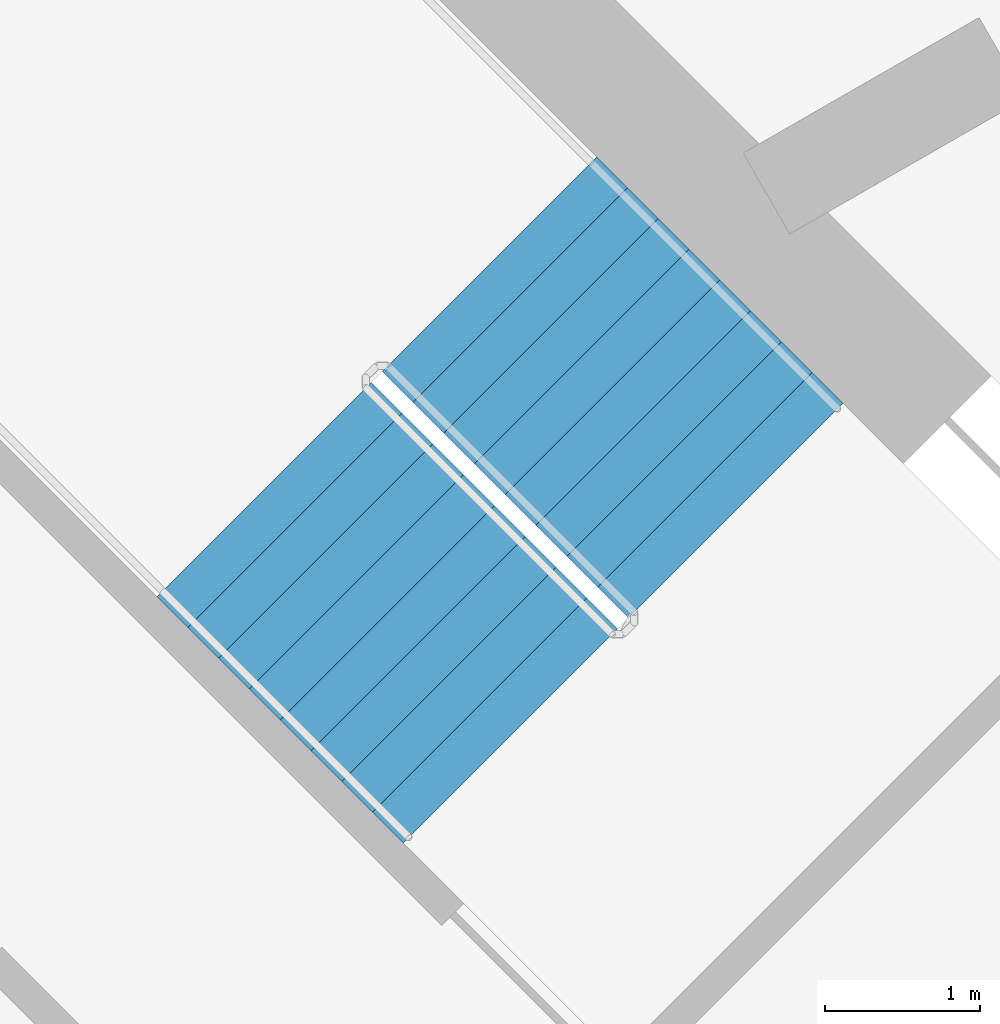
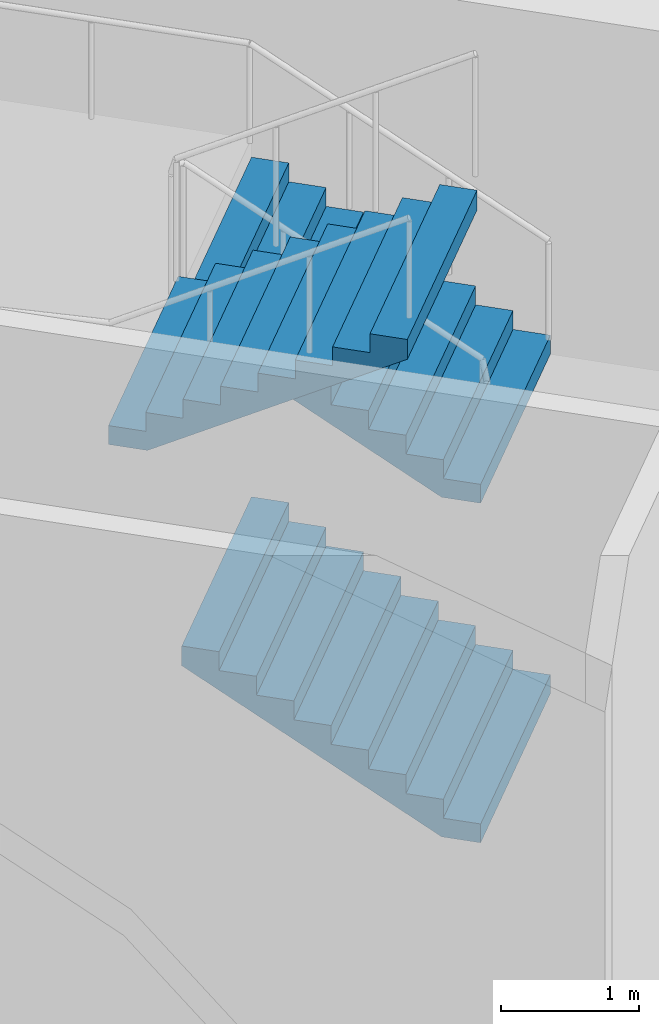
# One storey, part 15 of 17: 3 stair flights, 1 element without a shape of its own.
"""IFC4 building model written with IfcOpenShell, lengths in metres."""

from ifc_helpers import new_model, si_unit, direction, frame, origin, place, context, subcontext, project, spatial, triangles, material, type_object, element, aggregate, save


model = new_model("IFC4")

# Units and contexts
model_context = context("Model", 3, precision=1e-05, world=origin(), true_north=direction((0.0, 1.0)))
body_context = subcontext(model_context, "Body", "Model", "MODEL_VIEW")
ifc_project = project(units=[si_unit("LENGTHUNIT", "METRE"), si_unit("AREAUNIT", "SQUARE_METRE"), si_unit("VOLUMEUNIT", "CUBIC_METRE"), si_unit("PLANEANGLEUNIT", "RADIAN"), si_unit("MASSUNIT", "GRAM", prefix="KILO")], contexts=[model_context])

# Site, building, storey
site_placement = place(None, origin())
site = spatial("IfcSite", under=ifc_project, at=site_placement, CompositionType="ELEMENT")
building_placement = place(site_placement, origin())
building = spatial("IfcBuilding", under=site, at=building_placement, Name="Verdalira Terraces Hotel", CompositionType="ELEMENT")
storey_placement = place(building_placement, frame((0.0, 0.0, 122.0)))
storey = spatial("IfcBuildingStorey", under=building, at=storey_placement, Name="L29", CompositionType="ELEMENT", Elevation=122.0)

# Stair, stair flights
ifc_material_1 = material(Name="Concrete C40", Category="concrete")
stair_type = type_object("IfcStairType", Name="Core stair 36 risers 1950 mm wide", PredefinedType="HALF_TURN_STAIR", material=ifc_material_1)
stair_placement = place(storey_placement, origin())
stair = element("IfcStair", 1, at=stair_placement, inside=storey, type_object=stair_type, Name="L29 Exit stair ST1", PredefinedType="HALF_TURN_STAIR")
ifc_material_2 = material(Name="Concrete C40", Category="concrete")
stair_flight_type = type_object("IfcStairFlightType", Name="Core stair flight 36 risers 1950 mm wide", PredefinedType="STRAIGHT", material=ifc_material_2)
stair_flight_1_placement = place(storey_placement, frame((10.023193, 7.265625, 0.0), z_axis=(0.0, 0.0, 1.0), x_axis=(-0.707106781, 0.707106781, 0.0)))
stair_flight_1 = element("IfcStairFlight", 2, at=stair_flight_1_placement, type_object=stair_flight_type, Name="ST1 flight 1", NumberOfRisers=9, NumberOfTreads=8, PredefinedType="STRAIGHT", RiserHeight=0.166666667, TreadLength=0.28, context=body_context, shape_type="Tessellation", body=[
    triangles([(0.0, 0.974976, 0.0), (0.292969, 0.974976, 0.0), (2.23999, 0.974976, 1.158936), (0.0, -0.974976, 0.0), (0.292969, -0.974976, 0.0), (2.23999, -0.974976, 1.158936), (2.23999, 0.974976, 1.333252), (1.959961, 0.974976, 1.333252), (2.23999, -0.974976, 1.333252), (1.959961, -0.974976, 1.333252), (1.959961, 0.974976, 1.166748), (1.959961, -0.974976, 1.166748), (1.679932, 0.974976, 1.166748), (1.679932, -0.974976, 1.166748), (1.679932, 0.974976, 1.0), (1.679932, -0.974976, 1.0), (1.399902, 0.974976, 1.0), (1.399902, 0.974976, 0.833252), (1.399902, -0.974976, 1.0), (1.399902, -0.974976, 0.833252), (1.120117, 0.974976, 0.833252), (1.120117, 0.974976, 0.666748), (1.120117, -0.974976, 0.833252), (1.120117, -0.974976, 0.666748), (0.840088, 0.974976, 0.666748), (0.840088, 0.974976, 0.5), (0.840088, -0.974976, 0.666748), (0.840088, -0.974976, 0.5), (0.560059, 0.974976, 0.5), (0.560059, 0.974976, 0.333252), (0.560059, -0.974976, 0.5), (0.560059, -0.974976, 0.333252), (0.280029, 0.974976, 0.333252), (0.280029, 0.974976, 0.166748), (0.280029, -0.974976, 0.333252), (0.280029, -0.974976, 0.166748), (0.0, 0.974976, 0.166748), (0.0, -0.974976, 0.166748), (0.0, -0.91404, 0.0), (0.0, -0.91404, 0.166748), (0.0, -0.853104, 0.0), (0.0, -0.853104, 0.166748), (0.0, -0.792168, 0.0), (0.0, -0.792168, 0.166748), (0.0, -0.731232, 0.0), (0.0, -0.731232, 0.166748), (0.0, -0.670296, 0.0), (0.0, -0.670296, 0.166748), (0.0, -0.60936, 0.0), (0.0, -0.60936, 0.166748), (0.0, -0.548424, 0.0), (0.0, -0.548424, 0.166748), (0.0, -0.487488, 0.0), (0.0, -0.487488, 0.166748), (0.0, -0.426552, 0.0), (0.0, -0.426552, 0.166748), (0.0, -0.365616, 0.0), (0.0, -0.365616, 0.166748), (0.0, -0.30468, 0.0), (0.0, -0.30468, 0.166748), (0.0, -0.243744, 0.0), (0.0, -0.243744, 0.166748), (0.0, -0.182808, 0.0), (0.0, -0.182808, 0.166748), (0.0, -0.121872, 0.0), (0.0, -0.121872, 0.166748), (0.0, -0.060936, 0.0), (0.0, -0.060936, 0.166748), (0.0, 0.0, 0.0), (0.0, 0.0, 0.166748), (0.0, 0.060936, 0.0), (0.0, 0.060936, 0.166748), (0.0, 0.121872, 0.0), (0.0, 0.121872, 0.166748), (0.0, 0.182808, 0.0), (0.0, 0.182808, 0.166748), (0.0, 0.243744, 0.0), (0.0, 0.243744, 0.166748), (0.0, 0.30468, 0.0), (0.0, 0.30468, 0.166748), (0.0, 0.365616, 0.0), (0.0, 0.365616, 0.166748), (0.0, 0.426552, 0.0), (0.0, 0.426552, 0.166748), (0.0, 0.487488, 0.0), (0.0, 0.487488, 0.166748), (0.0, 0.548424, 0.0), (0.0, 0.548424, 0.166748), (0.0, 0.60936, 0.0), (0.0, 0.60936, 0.166748), (0.0, 0.670296, 0.0), (0.0, 0.670296, 0.166748), (0.0, 0.731232, 0.0), (0.0, 0.731232, 0.166748), (0.0, 0.792168, 0.0), (0.0, 0.792168, 0.166748), (0.0, 0.853104, 0.0), (0.0, 0.853104, 0.166748), (0.0, 0.91404, 0.0), (0.0, 0.91404, 0.166748), (2.23999, -0.91404, 1.333252), (2.23999, -0.853104, 1.333252), (2.23999, -0.792168, 1.333252), (2.23999, -0.731232, 1.333252), (2.23999, -0.670296, 1.333252), (2.23999, -0.60936, 1.333252), (2.23999, -0.548424, 1.333252), (2.23999, -0.487488, 1.333252), (2.23999, -0.426552, 1.333252), (2.23999, -0.365616, 1.333252), (2.23999, -0.30468, 1.333252), (2.23999, -0.243744, 1.333252), (2.23999, -0.182808, 1.333252), (2.23999, -0.121872, 1.333252), (2.23999, -0.060936, 1.333252), (2.23999, 0.0, 1.333252), (2.23999, 0.060936, 1.333252), (2.23999, 0.121872, 1.333252), (2.23999, 0.182808, 1.333252), (2.23999, 0.243744, 1.333252), (2.23999, 0.30468, 1.333252), (2.23999, 0.365616, 1.333252), (2.23999, 0.426552, 1.333252), (2.23999, 0.487488, 1.333252), (2.23999, 0.548424, 1.333252), (2.23999, 0.60936, 1.333252), (2.23999, 0.670296, 1.333252), (2.23999, 0.731232, 1.333252), (2.23999, 0.792168, 1.333252), (2.23999, 0.853104, 1.333252), (2.23999, 0.91404, 1.333252), (2.23999, -0.91404, 1.158936), (2.23999, -0.853104, 1.158936), (2.23999, -0.792168, 1.158936), (2.23999, -0.731232, 1.158936), (2.23999, -0.670296, 1.158936), (2.23999, -0.60936, 1.158936), (2.23999, -0.548424, 1.158936), (2.23999, -0.487488, 1.158936), (2.23999, -0.426552, 1.158936), (2.23999, -0.365616, 1.158936), (2.23999, -0.30468, 1.158936), (2.23999, -0.243744, 1.158936), (2.23999, -0.182808, 1.158936), (2.23999, -0.121872, 1.158936), (2.23999, -0.060936, 1.158936), (2.23999, 0.0, 1.158936), (2.23999, 0.060936, 1.158936), (2.23999, 0.121872, 1.158936), (2.23999, 0.182808, 1.158936), (2.23999, 0.243744, 1.158936), (2.23999, 0.30468, 1.158936), (2.23999, 0.365616, 1.158936), (2.23999, 0.426552, 1.158936), (2.23999, 0.487488, 1.158936), (2.23999, 0.548424, 1.158936), (2.23999, 0.60936, 1.158936), (2.23999, 0.670296, 1.158936), (2.23999, 0.731232, 1.158936), (2.23999, 0.792168, 1.158936), (2.23999, 0.853104, 1.158936), (2.23999, 0.91404, 1.158936)], [[1, 3, 2], [4, 5, 6], [3, 8, 7], [6, 9, 10], [3, 11, 8], [6, 10, 12], [3, 13, 11], [6, 12, 14], [3, 15, 13], [6, 14, 16], [15, 18, 17], [16, 19, 20], [3, 18, 15], [6, 16, 20], [18, 22, 21], [20, 23, 24], [3, 22, 18], [6, 20, 24], [22, 26, 25], [24, 27, 28], [3, 26, 22], [6, 24, 28], [26, 30, 29], [28, 31, 32], [3, 30, 26], [6, 28, 32], [1, 30, 3], [4, 6, 32], [30, 34, 33], [32, 35, 36], [1, 34, 30], [4, 32, 36], [34, 1, 37], [36, 38, 4], [4, 40, 39], [4, 38, 40], [39, 42, 41], [39, 40, 42], [41, 44, 43], [41, 42, 44], [43, 46, 45], [43, 44, 46], [45, 48, 47], [45, 46, 48], [47, 50, 49], [47, 48, 50], [49, 52, 51], [49, 50, 52], [51, 54, 53], [51, 52, 54], [53, 56, 55], [53, 54, 56], [55, 58, 57], [55, 56, 58], [57, 60, 59], [57, 58, 60], [59, 62, 61], [59, 60, 62], [61, 64, 63], [61, 62, 64], [63, 66, 65], [63, 64, 66], [65, 68, 67], [65, 66, 68], [67, 70, 69], [67, 68, 70], [69, 72, 71], [69, 70, 72], [71, 74, 73], [71, 72, 74], [73, 76, 75], [73, 74, 76], [75, 78, 77], [75, 76, 78], [77, 80, 79], [77, 78, 80], [79, 82, 81], [79, 80, 82], [81, 84, 83], [81, 82, 84], [83, 86, 85], [83, 84, 86], [85, 88, 87], [85, 86, 88], [87, 90, 89], [87, 88, 90], [89, 92, 91], [89, 90, 92], [91, 94, 93], [91, 92, 94], [93, 96, 95], [93, 94, 96], [95, 98, 97], [95, 96, 98], [97, 100, 99], [97, 98, 100], [99, 37, 1], [99, 100, 37], [38, 36, 40], [40, 36, 42], [42, 36, 44], [44, 36, 46], [46, 36, 48], [48, 36, 50], [50, 36, 52], [52, 36, 54], [54, 36, 56], [56, 36, 58], [58, 36, 60], [60, 36, 62], [62, 36, 64], [64, 36, 66], [66, 36, 68], [68, 36, 70], [70, 36, 72], [72, 36, 74], [74, 36, 76], [76, 36, 78], [78, 36, 80], [80, 36, 82], [82, 36, 84], [84, 36, 86], [86, 36, 88], [88, 36, 90], [90, 36, 92], [92, 36, 94], [94, 36, 96], [96, 36, 98], [98, 36, 100], [100, 36, 37], [37, 36, 34], [36, 33, 34], [36, 35, 33], [35, 30, 33], [35, 32, 30], [32, 29, 30], [32, 31, 29], [31, 26, 29], [31, 28, 26], [28, 25, 26], [28, 27, 25], [27, 22, 25], [27, 24, 22], [24, 21, 22], [24, 23, 21], [23, 18, 21], [23, 20, 18], [20, 17, 18], [20, 19, 17], [19, 15, 17], [19, 16, 15], [16, 13, 15], [16, 14, 13], [14, 11, 13], [14, 12, 11], [12, 8, 11], [12, 10, 8], [9, 101, 10], [101, 102, 10], [102, 103, 10], [103, 104, 10], [104, 105, 10], [105, 106, 10], [106, 107, 10], [107, 108, 10], [108, 109, 10], [109, 110, 10], [110, 111, 10], [111, 112, 10], [112, 113, 10], [113, 114, 10], [114, 115, 10], [115, 116, 10], [116, 117, 10], [117, 118, 10], [118, 119, 10], [119, 120, 10], [120, 121, 10], [121, 122, 10], [122, 123, 10], [123, 124, 10], [124, 125, 10], [125, 126, 10], [126, 127, 10], [127, 128, 10], [128, 129, 10], [129, 130, 10], [130, 131, 10], [131, 7, 10], [7, 8, 10], [9, 132, 101], [9, 6, 132], [101, 133, 102], [101, 132, 133], [102, 134, 103], [102, 133, 134], [103, 135, 104], [103, 134, 135], [104, 136, 105], [104, 135, 136], [105, 137, 106], [105, 136, 137], [106, 138, 107], [106, 137, 138], [107, 139, 108], [107, 138, 139], [108, 140, 109], [108, 139, 140], [109, 141, 110], [109, 140, 141], [110, 142, 111], [110, 141, 142], [111, 143, 112], [111, 142, 143], [112, 144, 113], [112, 143, 144], [113, 145, 114], [113, 144, 145], [114, 146, 115], [114, 145, 146], [115, 147, 116], [115, 146, 147], [116, 148, 117], [116, 147, 148], [117, 149, 118], [117, 148, 149], [118, 150, 119], [118, 149, 150], [119, 151, 120], [119, 150, 151], [120, 152, 121], [120, 151, 152], [121, 153, 122], [121, 152, 153], [122, 154, 123], [122, 153, 154], [123, 155, 124], [123, 154, 155], [124, 156, 125], [124, 155, 156], [125, 157, 126], [125, 156, 157], [126, 158, 127], [126, 157, 158], [127, 159, 128], [127, 158, 159], [128, 160, 129], [128, 159, 160], [129, 161, 130], [129, 160, 161], [130, 162, 131], [130, 161, 162], [131, 3, 7], [131, 162, 3], [6, 5, 132], [132, 5, 133], [133, 5, 134], [134, 5, 135], [135, 5, 136], [136, 5, 137], [137, 5, 138], [138, 5, 139], [139, 5, 140], [140, 5, 141], [141, 5, 142], [142, 5, 143], [143, 5, 144], [144, 5, 145], [145, 5, 146], [146, 5, 147], [147, 5, 148], [148, 5, 149], [149, 5, 150], [150, 5, 151], [151, 5, 152], [152, 5, 153], [153, 5, 154], [154, 5, 155], [155, 5, 156], [156, 5, 157], [157, 5, 158], [158, 5, 159], [159, 5, 160], [160, 5, 161], [161, 5, 162], [162, 5, 3], [3, 5, 2], [4, 39, 5], [39, 41, 5], [41, 43, 5], [43, 45, 5], [45, 47, 5], [47, 49, 5], [49, 51, 5], [51, 53, 5], [53, 55, 5], [55, 57, 5], [57, 59, 5], [59, 61, 5], [61, 63, 5], [63, 65, 5], [65, 67, 5], [67, 69, 5], [69, 71, 5], [71, 73, 5], [73, 75, 5], [75, 77, 5], [77, 79, 5], [79, 81, 5], [81, 83, 5], [83, 85, 5], [85, 87, 5], [87, 89, 5], [89, 91, 5], [91, 93, 5], [93, 95, 5], [95, 97, 5], [97, 99, 5], [99, 1, 5], [1, 2, 5]], closed=True),
])
stair_flight_2_placement = place(storey_placement, frame((10.023193, 7.265625, 3.0), z_axis=(0.0, 0.0, 1.0), x_axis=(-0.707106781, 0.707106781, 0.0)))
stair_flight_2 = element("IfcStairFlight", 3, at=stair_flight_2_placement, type_object=stair_flight_type, Name="ST1 flight 3", NumberOfRisers=9, NumberOfTreads=8, PredefinedType="STRAIGHT", RiserHeight=0.166666667, TreadLength=0.28, context=body_context, shape_type="Tessellation", body=[
    triangles([(0.0, 0.974976, 0.0), (0.292969, 0.974976, 0.0), (2.23999, 0.974976, 1.158936), (0.0, -0.974976, 0.0), (0.292969, -0.974976, 0.0), (2.23999, -0.974976, 1.158936), (2.23999, 0.974976, 1.333252), (1.959961, 0.974976, 1.333252), (2.23999, -0.974976, 1.333252), (1.959961, -0.974976, 1.333252), (1.959961, 0.974976, 1.166748), (1.959961, -0.974976, 1.166748), (1.679932, 0.974976, 1.166748), (1.679932, -0.974976, 1.166748), (1.679932, 0.974976, 1.0), (1.679932, -0.974976, 1.0), (1.399902, 0.974976, 1.0), (1.399902, 0.974976, 0.833252), (1.399902, -0.974976, 1.0), (1.399902, -0.974976, 0.833252), (1.120117, 0.974976, 0.833252), (1.120117, 0.974976, 0.666748), (1.120117, -0.974976, 0.833252), (1.120117, -0.974976, 0.666748), (0.840088, 0.974976, 0.666748), (0.840088, 0.974976, 0.5), (0.840088, -0.974976, 0.666748), (0.840088, -0.974976, 0.5), (0.560059, 0.974976, 0.5), (0.560059, 0.974976, 0.333252), (0.560059, -0.974976, 0.5), (0.560059, -0.974976, 0.333252), (0.280029, 0.974976, 0.333252), (0.280029, 0.974976, 0.166748), (0.280029, -0.974976, 0.333252), (0.280029, -0.974976, 0.166748), (0.0, 0.974976, 0.166748), (0.0, -0.974976, 0.166748), (0.0, -0.91404, 0.0), (0.0, -0.91404, 0.166748), (0.0, -0.853104, 0.0), (0.0, -0.853104, 0.166748), (0.0, -0.792168, 0.0), (0.0, -0.792168, 0.166748), (0.0, -0.731232, 0.0), (0.0, -0.731232, 0.166748), (0.0, -0.670296, 0.0), (0.0, -0.670296, 0.166748), (0.0, -0.60936, 0.0), (0.0, -0.60936, 0.166748), (0.0, -0.548424, 0.0), (0.0, -0.548424, 0.166748), (0.0, -0.487488, 0.0), (0.0, -0.487488, 0.166748), (0.0, -0.426552, 0.0), (0.0, -0.426552, 0.166748), (0.0, -0.365616, 0.0), (0.0, -0.365616, 0.166748), (0.0, -0.30468, 0.0), (0.0, -0.30468, 0.166748), (0.0, -0.243744, 0.0), (0.0, -0.243744, 0.166748), (0.0, -0.182808, 0.0), (0.0, -0.182808, 0.166748), (0.0, -0.121872, 0.0), (0.0, -0.121872, 0.166748), (0.0, -0.060936, 0.0), (0.0, -0.060936, 0.166748), (0.0, 0.0, 0.0), (0.0, 0.0, 0.166748), (0.0, 0.060936, 0.0), (0.0, 0.060936, 0.166748), (0.0, 0.121872, 0.0), (0.0, 0.121872, 0.166748), (0.0, 0.182808, 0.0), (0.0, 0.182808, 0.166748), (0.0, 0.243744, 0.0), (0.0, 0.243744, 0.166748), (0.0, 0.30468, 0.0), (0.0, 0.30468, 0.166748), (0.0, 0.365616, 0.0), (0.0, 0.365616, 0.166748), (0.0, 0.426552, 0.0), (0.0, 0.426552, 0.166748), (0.0, 0.487488, 0.0), (0.0, 0.487488, 0.166748), (0.0, 0.548424, 0.0), (0.0, 0.548424, 0.166748), (0.0, 0.60936, 0.0), (0.0, 0.60936, 0.166748), (0.0, 0.670296, 0.0), (0.0, 0.670296, 0.166748), (0.0, 0.731232, 0.0), (0.0, 0.731232, 0.166748), (0.0, 0.792168, 0.0), (0.0, 0.792168, 0.166748), (0.0, 0.853104, 0.0), (0.0, 0.853104, 0.166748), (0.0, 0.91404, 0.0), (0.0, 0.91404, 0.166748), (2.23999, -0.91404, 1.333252), (2.23999, -0.853104, 1.333252), (2.23999, -0.792168, 1.333252), (2.23999, -0.731232, 1.333252), (2.23999, -0.670296, 1.333252), (2.23999, -0.60936, 1.333252), (2.23999, -0.548424, 1.333252), (2.23999, -0.487488, 1.333252), (2.23999, -0.426552, 1.333252), (2.23999, -0.365616, 1.333252), (2.23999, -0.30468, 1.333252), (2.23999, -0.243744, 1.333252), (2.23999, -0.182808, 1.333252), (2.23999, -0.121872, 1.333252), (2.23999, -0.060936, 1.333252), (2.23999, 0.0, 1.333252), (2.23999, 0.060936, 1.333252), (2.23999, 0.121872, 1.333252), (2.23999, 0.182808, 1.333252), (2.23999, 0.243744, 1.333252), (2.23999, 0.30468, 1.333252), (2.23999, 0.365616, 1.333252), (2.23999, 0.426552, 1.333252), (2.23999, 0.487488, 1.333252), (2.23999, 0.548424, 1.333252), (2.23999, 0.60936, 1.333252), (2.23999, 0.670296, 1.333252), (2.23999, 0.731232, 1.333252), (2.23999, 0.792168, 1.333252), (2.23999, 0.853104, 1.333252), (2.23999, 0.91404, 1.333252), (2.23999, -0.91404, 1.158936), (2.23999, -0.853104, 1.158936), (2.23999, -0.792168, 1.158936), (2.23999, -0.731232, 1.158936), (2.23999, -0.670296, 1.158936), (2.23999, -0.60936, 1.158936), (2.23999, -0.548424, 1.158936), (2.23999, -0.487488, 1.158936), (2.23999, -0.426552, 1.158936), (2.23999, -0.365616, 1.158936), (2.23999, -0.30468, 1.158936), (2.23999, -0.243744, 1.158936), (2.23999, -0.182808, 1.158936), (2.23999, -0.121872, 1.158936), (2.23999, -0.060936, 1.158936), (2.23999, 0.0, 1.158936), (2.23999, 0.060936, 1.158936), (2.23999, 0.121872, 1.158936), (2.23999, 0.182808, 1.158936), (2.23999, 0.243744, 1.158936), (2.23999, 0.30468, 1.158936), (2.23999, 0.365616, 1.158936), (2.23999, 0.426552, 1.158936), (2.23999, 0.487488, 1.158936), (2.23999, 0.548424, 1.158936), (2.23999, 0.60936, 1.158936), (2.23999, 0.670296, 1.158936), (2.23999, 0.731232, 1.158936), (2.23999, 0.792168, 1.158936), (2.23999, 0.853104, 1.158936), (2.23999, 0.91404, 1.158936)], [[1, 3, 2], [4, 5, 6], [3, 8, 7], [6, 9, 10], [3, 11, 8], [6, 10, 12], [3, 13, 11], [6, 12, 14], [3, 15, 13], [6, 14, 16], [15, 18, 17], [16, 19, 20], [3, 18, 15], [6, 16, 20], [18, 22, 21], [20, 23, 24], [3, 22, 18], [6, 20, 24], [22, 26, 25], [24, 27, 28], [3, 26, 22], [6, 24, 28], [26, 30, 29], [28, 31, 32], [3, 30, 26], [6, 28, 32], [1, 30, 3], [4, 6, 32], [30, 34, 33], [32, 35, 36], [1, 34, 30], [4, 32, 36], [34, 1, 37], [36, 38, 4], [4, 40, 39], [4, 38, 40], [39, 42, 41], [39, 40, 42], [41, 44, 43], [41, 42, 44], [43, 46, 45], [43, 44, 46], [45, 48, 47], [45, 46, 48], [47, 50, 49], [47, 48, 50], [49, 52, 51], [49, 50, 52], [51, 54, 53], [51, 52, 54], [53, 56, 55], [53, 54, 56], [55, 58, 57], [55, 56, 58], [57, 60, 59], [57, 58, 60], [59, 62, 61], [59, 60, 62], [61, 64, 63], [61, 62, 64], [63, 66, 65], [63, 64, 66], [65, 68, 67], [65, 66, 68], [67, 70, 69], [67, 68, 70], [69, 72, 71], [69, 70, 72], [71, 74, 73], [71, 72, 74], [73, 76, 75], [73, 74, 76], [75, 78, 77], [75, 76, 78], [77, 80, 79], [77, 78, 80], [79, 82, 81], [79, 80, 82], [81, 84, 83], [81, 82, 84], [83, 86, 85], [83, 84, 86], [85, 88, 87], [85, 86, 88], [87, 90, 89], [87, 88, 90], [89, 92, 91], [89, 90, 92], [91, 94, 93], [91, 92, 94], [93, 96, 95], [93, 94, 96], [95, 98, 97], [95, 96, 98], [97, 100, 99], [97, 98, 100], [99, 37, 1], [99, 100, 37], [38, 36, 40], [40, 36, 42], [42, 36, 44], [44, 36, 46], [46, 36, 48], [48, 36, 50], [50, 36, 52], [52, 36, 54], [54, 36, 56], [56, 36, 58], [58, 36, 60], [60, 36, 62], [62, 36, 64], [64, 36, 66], [66, 36, 68], [68, 36, 70], [70, 36, 72], [72, 36, 74], [74, 36, 76], [76, 36, 78], [78, 36, 80], [80, 36, 82], [82, 36, 84], [84, 36, 86], [86, 36, 88], [88, 36, 90], [90, 36, 92], [92, 36, 94], [94, 36, 96], [96, 36, 98], [98, 36, 100], [100, 36, 37], [37, 36, 34], [36, 33, 34], [36, 35, 33], [35, 30, 33], [35, 32, 30], [32, 29, 30], [32, 31, 29], [31, 26, 29], [31, 28, 26], [28, 25, 26], [28, 27, 25], [27, 22, 25], [27, 24, 22], [24, 21, 22], [24, 23, 21], [23, 18, 21], [23, 20, 18], [20, 17, 18], [20, 19, 17], [19, 15, 17], [19, 16, 15], [16, 13, 15], [16, 14, 13], [14, 11, 13], [14, 12, 11], [12, 8, 11], [12, 10, 8], [9, 101, 10], [101, 102, 10], [102, 103, 10], [103, 104, 10], [104, 105, 10], [105, 106, 10], [106, 107, 10], [107, 108, 10], [108, 109, 10], [109, 110, 10], [110, 111, 10], [111, 112, 10], [112, 113, 10], [113, 114, 10], [114, 115, 10], [115, 116, 10], [116, 117, 10], [117, 118, 10], [118, 119, 10], [119, 120, 10], [120, 121, 10], [121, 122, 10], [122, 123, 10], [123, 124, 10], [124, 125, 10], [125, 126, 10], [126, 127, 10], [127, 128, 10], [128, 129, 10], [129, 130, 10], [130, 131, 10], [131, 7, 10], [7, 8, 10], [9, 132, 101], [9, 6, 132], [101, 133, 102], [101, 132, 133], [102, 134, 103], [102, 133, 134], [103, 135, 104], [103, 134, 135], [104, 136, 105], [104, 135, 136], [105, 137, 106], [105, 136, 137], [106, 138, 107], [106, 137, 138], [107, 139, 108], [107, 138, 139], [108, 140, 109], [108, 139, 140], [109, 141, 110], [109, 140, 141], [110, 142, 111], [110, 141, 142], [111, 143, 112], [111, 142, 143], [112, 144, 113], [112, 143, 144], [113, 145, 114], [113, 144, 145], [114, 146, 115], [114, 145, 146], [115, 147, 116], [115, 146, 147], [116, 148, 117], [116, 147, 148], [117, 149, 118], [117, 148, 149], [118, 150, 119], [118, 149, 150], [119, 151, 120], [119, 150, 151], [120, 152, 121], [120, 151, 152], [121, 153, 122], [121, 152, 153], [122, 154, 123], [122, 153, 154], [123, 155, 124], [123, 154, 155], [124, 156, 125], [124, 155, 156], [125, 157, 126], [125, 156, 157], [126, 158, 127], [126, 157, 158], [127, 159, 128], [127, 158, 159], [128, 160, 129], [128, 159, 160], [129, 161, 130], [129, 160, 161], [130, 162, 131], [130, 161, 162], [131, 3, 7], [131, 162, 3], [6, 5, 132], [132, 5, 133], [133, 5, 134], [134, 5, 135], [135, 5, 136], [136, 5, 137], [137, 5, 138], [138, 5, 139], [139, 5, 140], [140, 5, 141], [141, 5, 142], [142, 5, 143], [143, 5, 144], [144, 5, 145], [145, 5, 146], [146, 5, 147], [147, 5, 148], [148, 5, 149], [149, 5, 150], [150, 5, 151], [151, 5, 152], [152, 5, 153], [153, 5, 154], [154, 5, 155], [155, 5, 156], [156, 5, 157], [157, 5, 158], [158, 5, 159], [159, 5, 160], [160, 5, 161], [161, 5, 162], [162, 5, 3], [3, 5, 2], [4, 39, 5], [39, 41, 5], [41, 43, 5], [43, 45, 5], [45, 47, 5], [47, 49, 5], [49, 51, 5], [51, 53, 5], [53, 55, 5], [55, 57, 5], [57, 59, 5], [59, 61, 5], [61, 63, 5], [63, 65, 5], [65, 67, 5], [67, 69, 5], [69, 71, 5], [71, 73, 5], [73, 75, 5], [75, 77, 5], [77, 79, 5], [79, 81, 5], [81, 83, 5], [83, 85, 5], [85, 87, 5], [87, 89, 5], [89, 91, 5], [91, 93, 5], [93, 95, 5], [95, 97, 5], [97, 99, 5], [99, 1, 5], [1, 2, 5]], closed=True),
])
stair_flight_3_placement = place(storey_placement, frame((6.989746, 7.399902, 4.5), z_axis=(0.0, 0.0, 1.0), x_axis=(0.707106781, -0.707106781, 0.0)))
stair_flight_3 = element("IfcStairFlight", 4, at=stair_flight_3_placement, type_object=stair_flight_type, Name="ST1 flight 4", NumberOfRisers=9, NumberOfTreads=8, PredefinedType="STRAIGHT", RiserHeight=0.166666667, TreadLength=0.28, context=body_context, shape_type="Tessellation", body=[
    triangles([(0.0, 0.974976, 0.0), (0.292969, 0.974976, 0.0), (2.23999, 0.974976, 1.158936), (0.0, -0.974976, 0.0), (0.292969, -0.974976, 0.0), (2.23999, -0.974976, 1.158936), (2.23999, 0.974976, 1.333252), (1.959961, 0.974976, 1.333252), (2.23999, -0.974976, 1.333252), (1.959961, -0.974976, 1.333252), (1.959961, 0.974976, 1.166748), (1.959961, -0.974976, 1.166748), (1.679932, 0.974976, 1.166748), (1.679932, -0.974976, 1.166748), (1.679932, 0.974976, 1.0), (1.679932, -0.974976, 1.0), (1.399902, 0.974976, 1.0), (1.399902, 0.974976, 0.833252), (1.399902, -0.974976, 1.0), (1.399902, -0.974976, 0.833252), (1.120117, 0.974976, 0.833252), (1.120117, 0.974976, 0.666748), (1.120117, -0.974976, 0.833252), (1.120117, -0.974976, 0.666748), (0.840088, 0.974976, 0.666748), (0.840088, 0.974976, 0.5), (0.840088, -0.974976, 0.666748), (0.840088, -0.974976, 0.5), (0.560059, 0.974976, 0.5), (0.560059, 0.974976, 0.333252), (0.560059, -0.974976, 0.5), (0.560059, -0.974976, 0.333252), (0.280029, 0.974976, 0.333252), (0.280029, 0.974976, 0.166748), (0.280029, -0.974976, 0.333252), (0.280029, -0.974976, 0.166748), (0.0, 0.974976, 0.166748), (0.0, -0.974976, 0.166748), (0.0, -0.91404, 0.0), (0.0, -0.91404, 0.166748), (0.0, -0.853104, 0.0), (0.0, -0.853104, 0.166748), (0.0, -0.792168, 0.0), (0.0, -0.792168, 0.166748), (0.0, -0.731232, 0.0), (0.0, -0.731232, 0.166748), (0.0, -0.670296, 0.0), (0.0, -0.670296, 0.166748), (0.0, -0.60936, 0.0), (0.0, -0.60936, 0.166748), (0.0, -0.548424, 0.0), (0.0, -0.548424, 0.166748), (0.0, -0.487488, 0.0), (0.0, -0.487488, 0.166748), (0.0, -0.426552, 0.0), (0.0, -0.426552, 0.166748), (0.0, -0.365616, 0.0), (0.0, -0.365616, 0.166748), (0.0, -0.30468, 0.0), (0.0, -0.30468, 0.166748), (0.0, -0.243744, 0.0), (0.0, -0.243744, 0.166748), (0.0, -0.182808, 0.0), (0.0, -0.182808, 0.166748), (0.0, -0.121872, 0.0), (0.0, -0.121872, 0.166748), (0.0, -0.060936, 0.0), (0.0, -0.060936, 0.166748), (0.0, 0.0, 0.0), (0.0, 0.0, 0.166748), (0.0, 0.060936, 0.0), (0.0, 0.060936, 0.166748), (0.0, 0.121872, 0.0), (0.0, 0.121872, 0.166748), (0.0, 0.182808, 0.0), (0.0, 0.182808, 0.166748), (0.0, 0.243744, 0.0), (0.0, 0.243744, 0.166748), (0.0, 0.30468, 0.0), (0.0, 0.30468, 0.166748), (0.0, 0.365616, 0.0), (0.0, 0.365616, 0.166748), (0.0, 0.426552, 0.0), (0.0, 0.426552, 0.166748), (0.0, 0.487488, 0.0), (0.0, 0.487488, 0.166748), (0.0, 0.548424, 0.0), (0.0, 0.548424, 0.166748), (0.0, 0.60936, 0.0), (0.0, 0.60936, 0.166748), (0.0, 0.670296, 0.0), (0.0, 0.670296, 0.166748), (0.0, 0.731232, 0.0), (0.0, 0.731232, 0.166748), (0.0, 0.792168, 0.0), (0.0, 0.792168, 0.166748), (0.0, 0.853104, 0.0), (0.0, 0.853104, 0.166748), (0.0, 0.91404, 0.0), (0.0, 0.91404, 0.166748), (2.23999, -0.91404, 1.333252), (2.23999, -0.853104, 1.333252), (2.23999, -0.792168, 1.333252), (2.23999, -0.731232, 1.333252), (2.23999, -0.670296, 1.333252), (2.23999, -0.60936, 1.333252), (2.23999, -0.548424, 1.333252), (2.23999, -0.487488, 1.333252), (2.23999, -0.426552, 1.333252), (2.23999, -0.365616, 1.333252), (2.23999, -0.30468, 1.333252), (2.23999, -0.243744, 1.333252), (2.23999, -0.182808, 1.333252), (2.23999, -0.121872, 1.333252), (2.23999, -0.060936, 1.333252), (2.23999, 0.0, 1.333252), (2.23999, 0.060936, 1.333252), (2.23999, 0.121872, 1.333252), (2.23999, 0.182808, 1.333252), (2.23999, 0.243744, 1.333252), (2.23999, 0.30468, 1.333252), (2.23999, 0.365616, 1.333252), (2.23999, 0.426552, 1.333252), (2.23999, 0.487488, 1.333252), (2.23999, 0.548424, 1.333252), (2.23999, 0.60936, 1.333252), (2.23999, 0.670296, 1.333252), (2.23999, 0.731232, 1.333252), (2.23999, 0.792168, 1.333252), (2.23999, 0.853104, 1.333252), (2.23999, 0.91404, 1.333252), (2.23999, -0.91404, 1.158936), (2.23999, -0.853104, 1.158936), (2.23999, -0.792168, 1.158936), (2.23999, -0.731232, 1.158936), (2.23999, -0.670296, 1.158936), (2.23999, -0.60936, 1.158936), (2.23999, -0.548424, 1.158936), (2.23999, -0.487488, 1.158936), (2.23999, -0.426552, 1.158936), (2.23999, -0.365616, 1.158936), (2.23999, -0.30468, 1.158936), (2.23999, -0.243744, 1.158936), (2.23999, -0.182808, 1.158936), (2.23999, -0.121872, 1.158936), (2.23999, -0.060936, 1.158936), (2.23999, 0.0, 1.158936), (2.23999, 0.060936, 1.158936), (2.23999, 0.121872, 1.158936), (2.23999, 0.182808, 1.158936), (2.23999, 0.243744, 1.158936), (2.23999, 0.30468, 1.158936), (2.23999, 0.365616, 1.158936), (2.23999, 0.426552, 1.158936), (2.23999, 0.487488, 1.158936), (2.23999, 0.548424, 1.158936), (2.23999, 0.60936, 1.158936), (2.23999, 0.670296, 1.158936), (2.23999, 0.731232, 1.158936), (2.23999, 0.792168, 1.158936), (2.23999, 0.853104, 1.158936), (2.23999, 0.91404, 1.158936)], [[1, 3, 2], [4, 5, 6], [3, 8, 7], [6, 9, 10], [3, 11, 8], [6, 10, 12], [3, 13, 11], [6, 12, 14], [3, 15, 13], [6, 14, 16], [15, 18, 17], [16, 19, 20], [3, 18, 15], [6, 16, 20], [18, 22, 21], [20, 23, 24], [3, 22, 18], [6, 20, 24], [22, 26, 25], [24, 27, 28], [3, 26, 22], [6, 24, 28], [26, 30, 29], [28, 31, 32], [3, 30, 26], [6, 28, 32], [1, 30, 3], [4, 6, 32], [30, 34, 33], [32, 35, 36], [1, 34, 30], [4, 32, 36], [34, 1, 37], [36, 38, 4], [4, 40, 39], [4, 38, 40], [39, 42, 41], [39, 40, 42], [41, 44, 43], [41, 42, 44], [43, 46, 45], [43, 44, 46], [45, 48, 47], [45, 46, 48], [47, 50, 49], [47, 48, 50], [49, 52, 51], [49, 50, 52], [51, 54, 53], [51, 52, 54], [53, 56, 55], [53, 54, 56], [55, 58, 57], [55, 56, 58], [57, 60, 59], [57, 58, 60], [59, 62, 61], [59, 60, 62], [61, 64, 63], [61, 62, 64], [63, 66, 65], [63, 64, 66], [65, 68, 67], [65, 66, 68], [67, 70, 69], [67, 68, 70], [69, 72, 71], [69, 70, 72], [71, 74, 73], [71, 72, 74], [73, 76, 75], [73, 74, 76], [75, 78, 77], [75, 76, 78], [77, 80, 79], [77, 78, 80], [79, 82, 81], [79, 80, 82], [81, 84, 83], [81, 82, 84], [83, 86, 85], [83, 84, 86], [85, 88, 87], [85, 86, 88], [87, 90, 89], [87, 88, 90], [89, 92, 91], [89, 90, 92], [91, 94, 93], [91, 92, 94], [93, 96, 95], [93, 94, 96], [95, 98, 97], [95, 96, 98], [97, 100, 99], [97, 98, 100], [99, 37, 1], [99, 100, 37], [38, 36, 40], [40, 36, 42], [42, 36, 44], [44, 36, 46], [46, 36, 48], [48, 36, 50], [50, 36, 52], [52, 36, 54], [54, 36, 56], [56, 36, 58], [58, 36, 60], [60, 36, 62], [62, 36, 64], [64, 36, 66], [66, 36, 68], [68, 36, 70], [70, 36, 72], [72, 36, 74], [74, 36, 76], [76, 36, 78], [78, 36, 80], [80, 36, 82], [82, 36, 84], [84, 36, 86], [86, 36, 88], [88, 36, 90], [90, 36, 92], [92, 36, 94], [94, 36, 96], [96, 36, 98], [98, 36, 100], [100, 36, 37], [37, 36, 34], [36, 33, 34], [36, 35, 33], [35, 30, 33], [35, 32, 30], [32, 29, 30], [32, 31, 29], [31, 26, 29], [31, 28, 26], [28, 25, 26], [28, 27, 25], [27, 22, 25], [27, 24, 22], [24, 21, 22], [24, 23, 21], [23, 18, 21], [23, 20, 18], [20, 17, 18], [20, 19, 17], [19, 15, 17], [19, 16, 15], [16, 13, 15], [16, 14, 13], [14, 11, 13], [14, 12, 11], [12, 8, 11], [12, 10, 8], [9, 101, 10], [101, 102, 10], [102, 103, 10], [103, 104, 10], [104, 105, 10], [105, 106, 10], [106, 107, 10], [107, 108, 10], [108, 109, 10], [109, 110, 10], [110, 111, 10], [111, 112, 10], [112, 113, 10], [113, 114, 10], [114, 115, 10], [115, 116, 10], [116, 117, 10], [117, 118, 10], [118, 119, 10], [119, 120, 10], [120, 121, 10], [121, 122, 10], [122, 123, 10], [123, 124, 10], [124, 125, 10], [125, 126, 10], [126, 127, 10], [127, 128, 10], [128, 129, 10], [129, 130, 10], [130, 131, 10], [131, 7, 10], [7, 8, 10], [9, 132, 101], [9, 6, 132], [101, 133, 102], [101, 132, 133], [102, 134, 103], [102, 133, 134], [103, 135, 104], [103, 134, 135], [104, 136, 105], [104, 135, 136], [105, 137, 106], [105, 136, 137], [106, 138, 107], [106, 137, 138], [107, 139, 108], [107, 138, 139], [108, 140, 109], [108, 139, 140], [109, 141, 110], [109, 140, 141], [110, 142, 111], [110, 141, 142], [111, 143, 112], [111, 142, 143], [112, 144, 113], [112, 143, 144], [113, 145, 114], [113, 144, 145], [114, 146, 115], [114, 145, 146], [115, 147, 116], [115, 146, 147], [116, 148, 117], [116, 147, 148], [117, 149, 118], [117, 148, 149], [118, 150, 119], [118, 149, 150], [119, 151, 120], [119, 150, 151], [120, 152, 121], [120, 151, 152], [121, 153, 122], [121, 152, 153], [122, 154, 123], [122, 153, 154], [123, 155, 124], [123, 154, 155], [124, 156, 125], [124, 155, 156], [125, 157, 126], [125, 156, 157], [126, 158, 127], [126, 157, 158], [127, 159, 128], [127, 158, 159], [128, 160, 129], [128, 159, 160], [129, 161, 130], [129, 160, 161], [130, 162, 131], [130, 161, 162], [131, 3, 7], [131, 162, 3], [6, 5, 132], [132, 5, 133], [133, 5, 134], [134, 5, 135], [135, 5, 136], [136, 5, 137], [137, 5, 138], [138, 5, 139], [139, 5, 140], [140, 5, 141], [141, 5, 142], [142, 5, 143], [143, 5, 144], [144, 5, 145], [145, 5, 146], [146, 5, 147], [147, 5, 148], [148, 5, 149], [149, 5, 150], [150, 5, 151], [151, 5, 152], [152, 5, 153], [153, 5, 154], [154, 5, 155], [155, 5, 156], [156, 5, 157], [157, 5, 158], [158, 5, 159], [159, 5, 160], [160, 5, 161], [161, 5, 162], [162, 5, 3], [3, 5, 2], [4, 39, 5], [39, 41, 5], [41, 43, 5], [43, 45, 5], [45, 47, 5], [47, 49, 5], [49, 51, 5], [51, 53, 5], [53, 55, 5], [55, 57, 5], [57, 59, 5], [59, 61, 5], [61, 63, 5], [63, 65, 5], [65, 67, 5], [67, 69, 5], [69, 71, 5], [71, 73, 5], [73, 75, 5], [75, 77, 5], [77, 79, 5], [79, 81, 5], [81, 83, 5], [83, 85, 5], [85, 87, 5], [87, 89, 5], [89, 91, 5], [91, 93, 5], [93, 95, 5], [95, 97, 5], [97, 99, 5], [99, 1, 5], [1, 2, 5]], closed=True),
])
aggregate(stair, [stair_flight_1, stair_flight_2, stair_flight_3])

save(model, "model.ifc")
